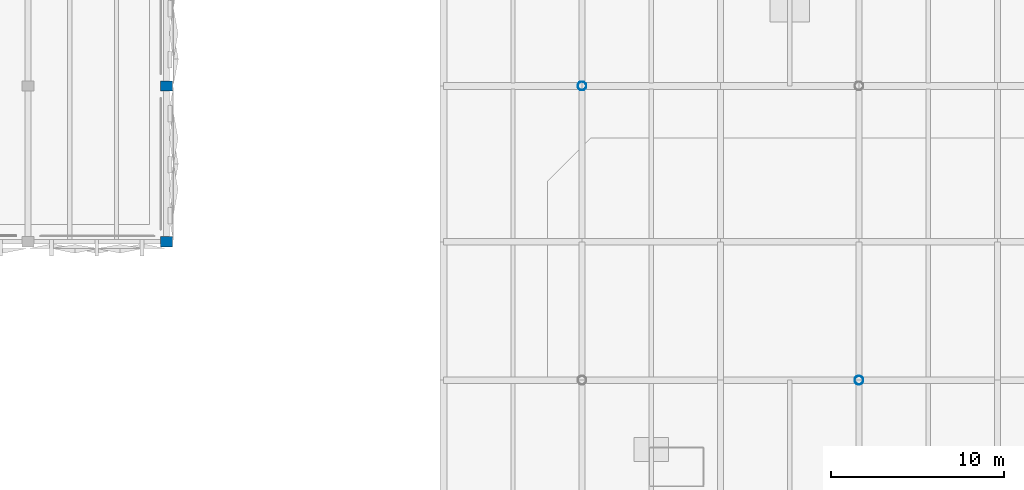
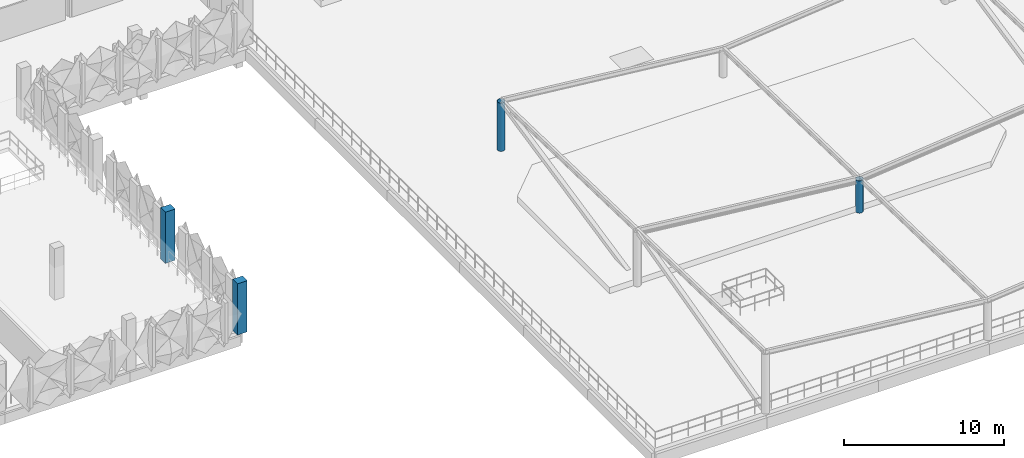
# One storey, part 5 of 52: 4 columns.
"""IFC4 building model written with IfcOpenShell, lengths in metres."""

from ifc_helpers import new_model, si_unit, derived_unit, direction, frame, origin, origin_2d, place, context, subcontext, project, spatial, rectangle, hollow_circle, extrude, material, material_profile, profile_set, type_object, element, save


model = new_model("IFC4")

# Units and contexts
model_context = context("Model", 3, precision=1e-05, world=origin(), true_north=direction((0.0, 1.0)))
body_context = subcontext(model_context, "Body", "Model", "MODEL_VIEW")
ifc_project = project(units=[si_unit("LENGTHUNIT", "METRE"), si_unit("AREAUNIT", "SQUARE_METRE"), si_unit("VOLUMEUNIT", "CUBIC_METRE"), si_unit("PLANEANGLEUNIT", "RADIAN"), si_unit("MASSUNIT", "GRAM", prefix="KILO"), si_unit("THERMODYNAMICTEMPERATUREUNIT", "KELVIN"), derived_unit("THERMALTRANSMITTANCEUNIT", [(si_unit("POWERUNIT", "WATT"), 1), (si_unit("AREAUNIT", "SQUARE_METRE"), -1), (si_unit("THERMODYNAMICTEMPERATUREUNIT", "KELVIN"), -1)])], contexts=[model_context])

# Site, building, storey
site_placement = place(None, origin())
site = spatial("IfcSite", under=ifc_project, at=site_placement, CompositionType="ELEMENT")
building_placement = place(site_placement, origin())
building = spatial("IfcBuilding", under=site, at=building_placement, Name="Haiyu Intermodal Mobility Hub", CompositionType="ELEMENT")
storey_placement = place(building_placement, frame((0.0, 0.0, 21.199951171875)))
storey = spatial("IfcBuildingStorey", under=building, at=storey_placement, Name="L05", CompositionType="ELEMENT", Elevation=21.199951171875)

# Columns
ifc_material_1 = material(Name="Precast concrete C40", Category="concrete")
ifc_material_profile_1 = material_profile(ifc_material_1, rectangle(XDim=0.699951171875, YDim=0.60009765625, at=origin_2d()), Name="C700x600")
ifc_profile_set_1 = profile_set([ifc_material_profile_1], Name="Precast concrete C40")
column_type_1 = type_object("IfcColumnType", Name="COL-CC21", PredefinedType="COLUMN", material=ifc_profile_set_1)
column_1_placement = place(storey_placement, frame((146.0, 113.0, 0.0), z_axis=(0.0, 0.0, 1.0), x_axis=(1.0, 0.0, 0.0)))
element("IfcColumn", 1, at=column_1_placement, inside=storey, type_object=column_type_1, Name="Column V3S-16N L05", PredefinedType="COLUMN", context=body_context, shape_type="SweptSolid", body=[
    extrude(rectangle(XDim=0.699951171875, YDim=0.60009765625, at=origin_2d()), origin(), (0.0, 0.0, 1.0), 3.900146484375),
])
ifc_material_profile_2 = material_profile(ifc_material_1, rectangle(XDim=0.699951171875, YDim=0.60009765625, at=origin_2d()), Name="C700x600")
ifc_profile_set_2 = profile_set([ifc_material_profile_2], Name="Precast concrete C40")
column_type_2 = type_object("IfcColumnType", Name="COL-CC21-EXT", PredefinedType="COLUMN", material=ifc_profile_set_2)
column_2_placement = place(storey_placement, frame((146.0, 104.0, 0.0), z_axis=(0.0, 0.0, 1.0), x_axis=(1.0, 0.0, 0.0)))
element("IfcColumn", 2, at=column_2_placement, inside=storey, type_object=column_type_2, Name="Column V4-16M L05", PredefinedType="COLUMN", context=body_context, shape_type="SweptSolid", body=[
    extrude(rectangle(XDim=0.699951171875, YDim=0.60009765625, at=origin_2d()), origin(), (0.0, 0.0, 1.0), 3.900146484375),
])
ifc_material_2 = material(Name="Steel Q355C", Category="steel")
ifc_material_profile_3 = material_profile(ifc_material_2, hollow_circle(Radius=0.25390625, WallThickness=0.01611328125, at=origin_2d()), Name="CHS508x16")
ifc_profile_set_3 = profile_set([ifc_material_profile_3], Name="Steel Q355C")
column_type_3 = type_object("IfcColumnType", Name="COL-SC02-EXT", PredefinedType="COLUMN", material=ifc_profile_set_3)
column_3_placement = place(storey_placement, frame((170.0, 113.0, 0.0), z_axis=(0.0, 0.0, 1.0), x_axis=(1.0, 0.0, 0.0)))
element("IfcColumn", 3, at=column_3_placement, inside=storey, type_object=column_type_3, Name="COL-V6F-170-113", PredefinedType="COLUMN", context=body_context, shape_type="SweptSolid", body=[
    extrude(hollow_circle(Radius=0.25390625, WallThickness=0.01611328125, at=origin_2d()), origin(), (0.0, 0.0, 1.0), 3.679931640625),
])
column_4_placement = place(storey_placement, frame((186.0, 96.0, 0.0), z_axis=(0.0, 0.0, 1.0), x_axis=(1.0, 0.0, 0.0)))
element("IfcColumn", 4, at=column_4_placement, inside=storey, type_object=column_type_3, Name="COL-V6F-186-96", PredefinedType="COLUMN", context=body_context, shape_type="SweptSolid", body=[
    extrude(hollow_circle(Radius=0.25390625, WallThickness=0.01611328125, at=origin_2d()), origin(), (0.0, 0.0, 1.0), 2.468017578125),
])

save(model, "model.ifc")
